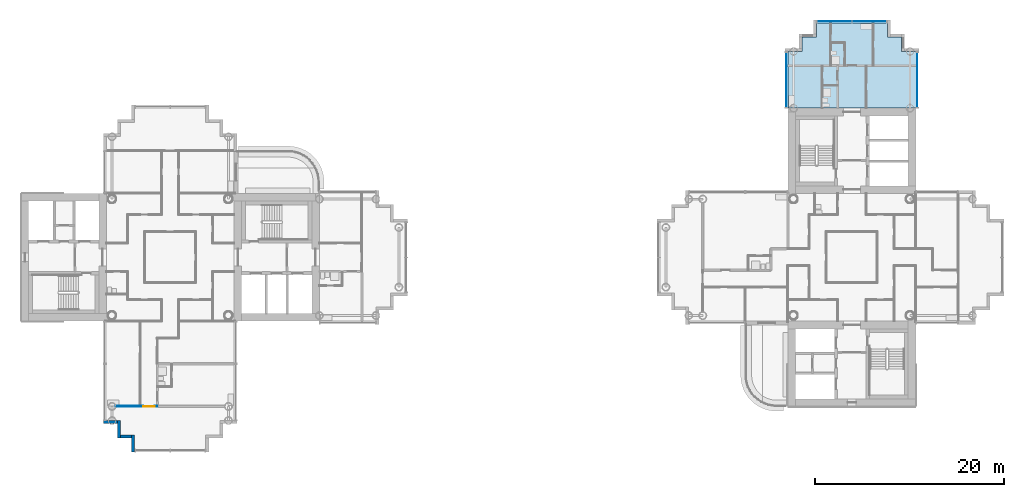
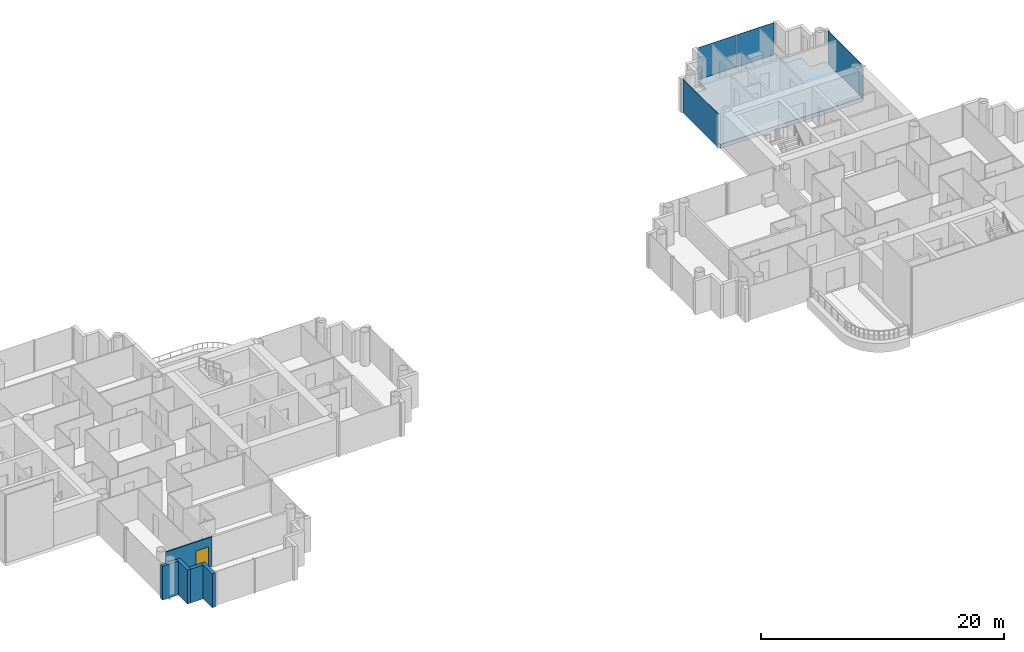
# One storey, part 6 of 19: 5 walls, 4 plates, 1 door, 1 slab, 1 opening, 3 elements without a shape of their own.
"""IFC4 building model written with IfcOpenShell, lengths in metres."""

from ifc_helpers import new_model, si_unit, direction, frame, frame_2d, origin, origin_2d, place, context, subcontext, project, spatial, polyline, rectangle, outline, extrude, material, layer, layer_set, type_object, element, fill, aggregate, save


model = new_model("IFC4")

# Units and contexts
model_context = context("Model", 3, precision=1e-05, world=origin(), true_north=direction((0.0, 1.0)))
body_context = subcontext(model_context, "Body", "Model", "MODEL_VIEW")
ifc_project = project(units=[si_unit("LENGTHUNIT", "METRE"), si_unit("AREAUNIT", "SQUARE_METRE"), si_unit("VOLUMEUNIT", "CUBIC_METRE"), si_unit("PLANEANGLEUNIT", "RADIAN"), si_unit("MASSUNIT", "GRAM", prefix="KILO")], contexts=[model_context])

# Site, building, storey
site_placement = place(None, origin())
site = spatial("IfcSite", under=ifc_project, at=site_placement, CompositionType="ELEMENT")
building_placement = place(site_placement, origin())
building = spatial("IfcBuilding", under=site, at=building_placement, Name="Ipe Terrace Towers", CompositionType="ELEMENT")
storey_placement = place(building_placement, frame((0.0, 0.0, 147.300048828125)))
storey = spatial("IfcBuildingStorey", under=building, at=storey_placement, Name="L40", CompositionType="ELEMENT", Elevation=147.300048828125)

# Slab
ifc_material_1 = material(Name="Concrete C40/50", Category="concrete")
ifc_layer_1 = layer(ifc_material_1, 0.39990234375)
ifc_layer_set_1 = layer_set([ifc_layer_1], Name="FLAT PLATE SLAB 400 C40-50")
slab_type = type_object("IfcSlabType", Name="FLAT PLATE SLAB 400 C40-50", PredefinedType="FLOOR", material=ifc_layer_set_1)
slab_placement = place(storey_placement, frame((0.0, 0.0, -0.400146484375)))
element("IfcSlab", 1, at=slab_placement, inside=storey, type_object=slab_type, Name="Slab T2-FS-Z32", PredefinedType="FLOOR", context=body_context, shape_type="SweptSolid", body=[
    extrude(outline(polyline([(30.75, 21.75), (30.75, 23.25), (32.25, 23.25), (32.25, 24.75), (39.75, 24.75), (39.75, 23.25), (41.25, 23.25), (41.25, 21.75), (42.75, 21.75), (42.75, 15.75), (29.25, 15.75), (29.25, 21.75), (30.75, 21.75)])), origin(), (0.0, 0.0, 1.0), 0.400146484375),
])

# Curtain wall, plate
ifc_material_2 = material(Name="Aluminium alloy 6063-T6", Category="aluminium")
ifc_layer_2 = layer(ifc_material_2, 0.320068359375)
ifc_layer_set_2 = layer_set([ifc_layer_2], Name="TOWER UNITISED CURTAIN WALL")
curtain_wall_type = type_object("IfcCurtainWallType", Name="TOWER UNITISED CURTAIN WALL", PredefinedType="NOTDEFINED", material=ifc_layer_set_2)
curtain_wall_1_placement = place(storey_placement, origin())
curtain_wall_1 = element("IfcCurtainWall", 2, at=curtain_wall_1_placement, inside=storey, type_object=curtain_wall_type, Name="T2-CW-L40-16b curtain wall", PredefinedType="NOTDEFINED")
ifc_material_3 = material(Name="Glass, clear laminated", Category="glass")
ifc_layer_3 = layer(ifc_material_3, 0.031982421875)
ifc_layer_set_3 = layer_set([ifc_layer_3], Name="TOWER UNITISED GLASS PANEL 32")
plate_type = type_object("IfcPlateType", Name="TOWER UNITISED GLASS PANEL 32", PredefinedType="CURTAIN_PANEL", material=ifc_layer_set_3)
plate_1_placement = place(storey_placement, frame((42.909912109375, 18.75048828125, -0.300048828125), z_axis=(0.0, 0.0, 1.0), x_axis=(0.0, 1.0, 0.0)))
plate_1 = element("IfcPlate", 3, at=plate_1_placement, type_object=plate_type, Name="T2-CW-L40-16b panel 1", PredefinedType="CURTAIN_PANEL", context=body_context, shape_type="SweptSolid", body=[
    extrude(rectangle(XDim=5.759033203125, YDim=0.031982421875, at=origin_2d()), origin(), (0.0, 0.0, 1.0), 3.39990234375),
])
aggregate(curtain_wall_1, [plate_1])

# Curtain wall, plates
curtain_wall_2_placement = place(storey_placement, origin())
curtain_wall_2 = element("IfcCurtainWall", 4, at=curtain_wall_2_placement, inside=storey, type_object=curtain_wall_type, Name="T2-CW-L40-21a curtain wall", PredefinedType="NOTDEFINED")
plate_2_placement = place(storey_placement, frame((37.831298828125, 24.909912109375, -0.300048828125), z_axis=(0.0, 0.0, 1.0), x_axis=(-1.0, 0.0, 0.0)))
plate_2 = element("IfcPlate", 5, at=plate_2_placement, type_object=plate_type, Name="T2-CW-L40-21a panel 1", PredefinedType="CURTAIN_PANEL", context=body_context, shape_type="SweptSolid", body=[
    extrude(rectangle(XDim=3.597412109375, YDim=0.031982421875, at=origin_2d()), origin(), (0.0, 0.0, 1.0), 3.39990234375),
])
plate_3_placement = place(storey_placement, frame((34.168701171875, 24.909912109375, -0.300048828125), z_axis=(0.0, 0.0, 1.0), x_axis=(-1.0, 0.0, 0.0)))
plate_3 = element("IfcPlate", 6, at=plate_3_placement, type_object=plate_type, Name="T2-CW-L40-21a panel 2", PredefinedType="CURTAIN_PANEL", context=body_context, shape_type="SweptSolid", body=[
    extrude(rectangle(XDim=3.597412109375, YDim=0.031982421875, at=origin_2d()), origin(), (0.0, 0.0, 1.0), 3.39990234375),
])
aggregate(curtain_wall_2, [plate_2, plate_3])

# Curtain wall, plate
curtain_wall_3_placement = place(storey_placement, origin())
curtain_wall_3 = element("IfcCurtainWall", 7, at=curtain_wall_3_placement, inside=storey, type_object=curtain_wall_type, Name="T2-CW-L40-26a curtain wall", PredefinedType="NOTDEFINED")
plate_4_placement = place(storey_placement, frame((29.090087890625, 18.75048828125, -0.300048828125), z_axis=(0.0, 0.0, 1.0), x_axis=(0.0, -1.0, 0.0)))
plate_4 = element("IfcPlate", 8, at=plate_4_placement, type_object=plate_type, Name="T2-CW-L40-26a panel 1", PredefinedType="CURTAIN_PANEL", context=body_context, shape_type="SweptSolid", body=[
    extrude(rectangle(XDim=5.759033203125, YDim=0.031982421875, at=origin_2d()), origin(), (0.0, 0.0, 1.0), 3.39990234375),
])
aggregate(curtain_wall_3, [plate_4])

# Walls
ifc_material_4 = material(Name="Concrete C40/50 with buff precast cladding", Category="concrete")
ifc_layer_4 = layer(ifc_material_4, 0.320068359375)
ifc_layer_set_4 = layer_set([ifc_layer_4], Name="BUFF CLADDING WALL 320")
wall_type_1 = type_object("IfcWallType", Name="BUFF CLADDING WALL 320", PredefinedType="STANDARD", material=ifc_layer_set_4)
wall_1_placement = place(storey_placement, frame((-43.070068359375, -17.409912109375, -0.300048828125), z_axis=(0.0, 0.0, 1.0), x_axis=(1.0, 0.0, 0.0)))
element("IfcWall", 9, at=wall_1_placement, inside=storey, type_object=wall_type_1, Name="T1-W-L40-04a wall", PredefinedType="STANDARD", context=body_context, shape_type="SweptSolid", body=[
    extrude(rectangle(XDim=1.5, YDim=0.320068359375, at=frame_2d((0.75, 0.0))), origin(), (0.0, 0.0, 1.0), 3.39990234375),
])
wall_2_placement = place(storey_placement, frame((-41.409912109375, -17.25, -0.300048828125), z_axis=(0.0, 0.0, 1.0), x_axis=(0.0, -1.0, 0.0)))
element("IfcWall", 10, at=wall_2_placement, inside=storey, type_object=wall_type_1, Name="T1-W-L40-05a wall", PredefinedType="STANDARD", context=body_context, shape_type="SweptSolid", body=[
    extrude(rectangle(XDim=1.820068359375, YDim=0.320068359375, at=frame_2d((0.91015625, 0.0))), origin(), (0.0, 0.0, 1.0), 3.39990234375),
])
wall_3_placement = place(storey_placement, frame((-41.25, -18.909912109375, -0.300048828125), z_axis=(0.0, 0.0, 1.0), x_axis=(1.0, 0.0, 0.0)))
element("IfcWall", 11, at=wall_3_placement, inside=storey, type_object=wall_type_1, Name="T1-W-L40-06a wall", PredefinedType="STANDARD", context=body_context, shape_type="SweptSolid", body=[
    extrude(rectangle(XDim=1.179931640625, YDim=0.320068359375, at=frame_2d((0.58984375, 0.0))), origin(), (0.0, 0.0, 1.0), 3.39990234375),
])
wall_4_placement = place(storey_placement, frame((-39.909912109375, -18.75, -0.300048828125), z_axis=(0.0, 0.0, 1.0), x_axis=(0.0, -1.0, 0.0)))
element("IfcWall", 12, at=wall_4_placement, inside=storey, type_object=wall_type_1, Name="T1-W-L40-07a wall", PredefinedType="STANDARD", context=body_context, shape_type="SweptSolid", body=[
    extrude(rectangle(XDim=1.820068359375, YDim=0.320068359375, at=frame_2d((0.91015625, 0.0))), origin(), (0.0, 0.0, 1.0), 3.39990234375),
])

# Wall, opening, door
ifc_material_5 = material(Name="Gypsum board partition", Category="plasterboard")
ifc_layer_5 = layer(ifc_material_5, 0.10009765625)
ifc_layer_set_5 = layer_set([ifc_layer_5], Name="Gypsum board partition 100 mm")
wall_type_2 = type_object("IfcWallType", Name="Gypsum board partition 100 mm", PredefinedType="PARTITIONING", material=ifc_layer_set_5)
wall_5_placement = place(storey_placement, frame((-41.75, -15.75, 0.0), z_axis=(0.0, 0.0, 1.0), x_axis=(1.0, 0.0, 0.0)))
wall_5 = element("IfcWall", 13, at=wall_5_placement, inside=storey, type_object=wall_type_2, Name="Gypsum board partition T1 L40 W18", PredefinedType="PARTITIONING", context=body_context, shape_type="SweptSolid", body=[
    extrude(rectangle(XDim=4.39990234375, YDim=0.10009765625, at=frame_2d((2.199951171875, 0.0))), origin(), (0.0, 0.0, 1.0), 3.0),
])
opening_placement = place(wall_5_placement, frame((2.89990234375, 0.0, 0.0)))
opening = element("IfcOpeningElement", 14, at=opening_placement, cuts=wall_5, Name="Opening T1-Z3B-17", PredefinedType="OPENING", context=body_context, shape_type="SweptSolid", body=[
    extrude(rectangle(XDim=1.199951171875, YDim=2.10009765625, at=frame_2d((0.60009765625, 1.050048828125))), frame((0.0, 0.06005859375, 0.0), z_axis=(0.0, -1.0, 0.0), x_axis=(1.0, 0.0, 0.0)), (0.0, 0.0, 1.0), 0.1201171875),
])
ifc_material_6 = material(Name="Timber door leaf", Category="wood")
door_type = type_object("IfcDoorType", Name="Lounge door 1200 x 2100", OperationType="NOTDEFINED", PredefinedType="DOOR", material=ifc_material_6)
door_placement = place(opening_placement, origin())
door = element("IfcDoor", 15, at=door_placement, inside=storey, type_object=door_type, Name="Lounge door T1-Z3B-17", OperationType="SINGLE_SWING_RIGHT", OverallHeight=2.10009765625, OverallWidth=1.199951171875, PredefinedType="DOOR", context=body_context, shape_type="SweptSolid", body=[
    extrude(rectangle(XDim=1.199951171875, YDim=2.10009765625, at=frame_2d((0.60009765625, 1.050048828125))), frame((0.0, 0.02490234375, 0.0), z_axis=(0.0, -1.0, 0.0), x_axis=(1.0, 0.0, 0.0)), (0.0, 0.0, 1.0), 0.050048828125),
])
fill(opening, door)

save(model, "model.ifc")
